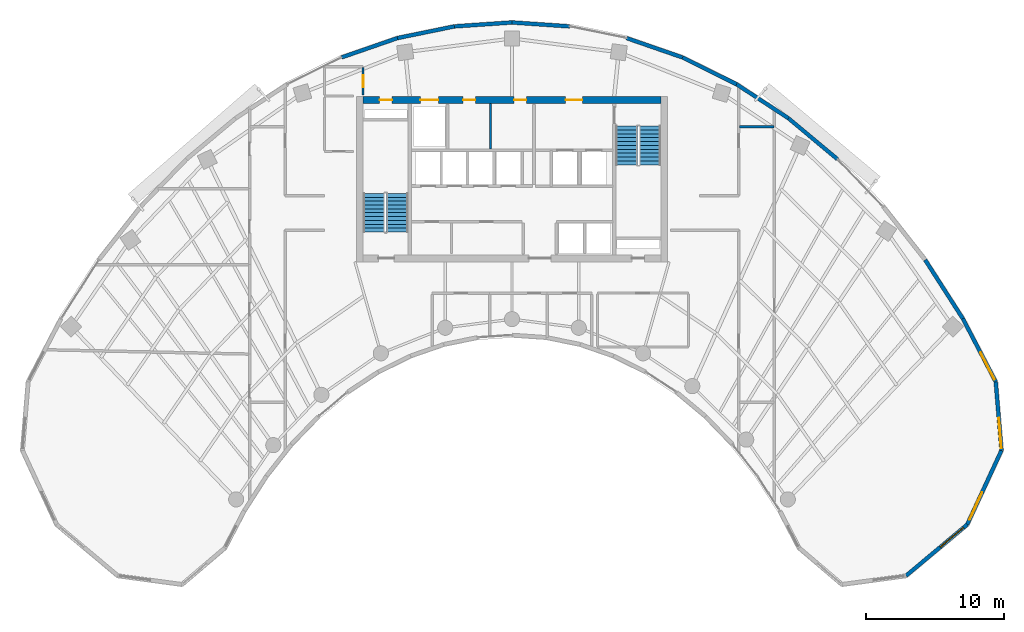
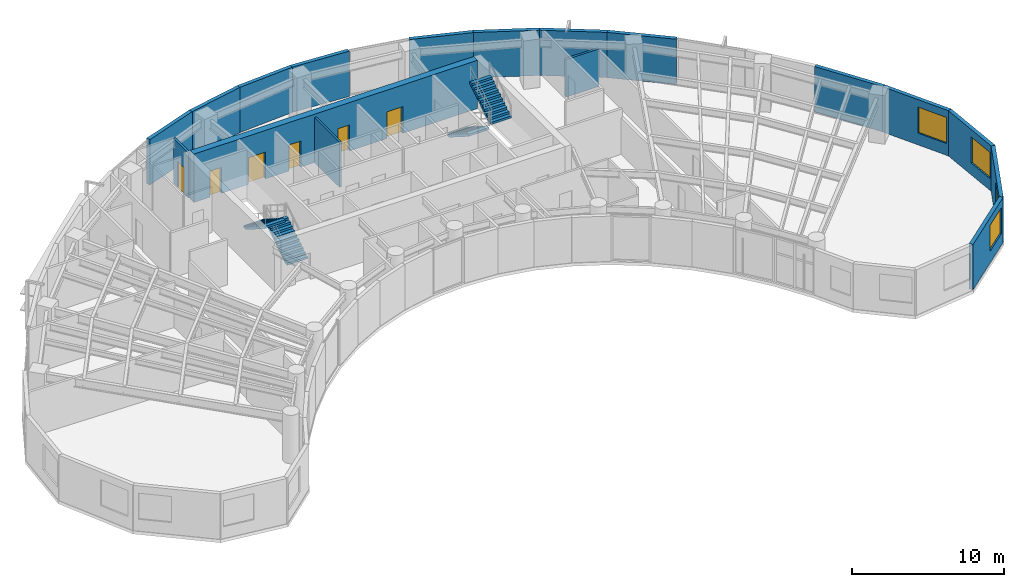
# One storey, part 10 of 13: 17 walls, 6 doors, 4 stair flights, 4 windows, 10 openings, 2 elements without a shape of their own.
"""IFC4 building model written with IfcOpenShell, lengths in metres."""

from ifc_helpers import new_model, si_unit, direction, frame, frame_2d, origin, place, context, subcontext, project, spatial, polyline, rectangle, outline, extrude, source, transform, mapped, material, layer, layer_set, type_object, type_shapes, element, fill, aggregate, save


model = new_model("IFC4")

# Units and contexts
model_context = context("Model", 3, precision=1e-05, world=origin(), true_north=direction((0.0, 1.0)))
body_context = subcontext(model_context, "Body", "Model", "MODEL_VIEW")
ifc_project = project(units=[si_unit("LENGTHUNIT", "METRE"), si_unit("AREAUNIT", "SQUARE_METRE"), si_unit("VOLUMEUNIT", "CUBIC_METRE"), si_unit("PLANEANGLEUNIT", "RADIAN"), si_unit("MASSUNIT", "GRAM", prefix="KILO")], contexts=[model_context])

# Site, building, storey
site_placement = place(None, origin())
site = spatial("IfcSite", under=ifc_project, at=site_placement, CompositionType="ELEMENT")
building_placement = place(site_placement, origin())
building = spatial("IfcBuilding", under=site, at=building_placement, Name="Breltana Convention Tower", CompositionType="ELEMENT")
storey_placement = place(building_placement, frame((0.0, 0.0, 170.10009765625)))
storey = spatial("IfcBuildingStorey", under=building, at=storey_placement, Name="L41", CompositionType="ELEMENT", Elevation=170.10009765625)

# Wall, openings, doors
ifc_material_1 = material(Name="Concrete C60/75", Category="concrete")
ifc_layer_1 = layer(ifc_material_1, 0.5, Name="Concrete C60/75")
ifc_layer_set_1 = layer_set([ifc_layer_1], Name="Concrete C60/75")
wall_type_1 = type_object("IfcWallType", Name="SW-CORE-500", PredefinedType="SHEAR", material=ifc_layer_set_1)
shared_shape_1 = source(origin(), body_context, "Body", "SweptSolid", [
    extrude(rectangle(XDim=21.60009765625, YDim=0.5, at=frame_2d((10.800048828125, 0.0))), origin(), (0.0, 0.0, 1.0), 3.89990234375),
])
wall_1_placement = place(storey_placement, frame((37.199951171875, 71.949951171875, 0.0), z_axis=(0.0, 0.0, 1.0), x_axis=(1.0, 0.0, 0.0)))
wall_1 = element("IfcWall", 1, at=wall_1_placement, inside=storey, type_object=wall_type_1, Name="L41 North Core Shear Wall", PredefinedType="SHEAR", context=body_context, shape_type="MappedRepresentation", body=[
    mapped(shared_shape_1, transform((0.0, 0.0, 0.0), scale=1.0)),
])
opening_1_placement = place(wall_1_placement, frame((1.199951171875, 0.0, 0.0)))
opening_1 = element("IfcOpeningElement", 2, at=opening_1_placement, cuts=wall_1, Name="Opening D-18", PredefinedType="OPENING", context=body_context, shape_type="SweptSolid", body=[
    extrude(rectangle(XDim=0.89990234375, YDim=2.10009765625, at=frame_2d((0.449951171875, 1.050048828125))), frame((0.0, 0.260009765625, 0.0), z_axis=(0.0, -1.0, 0.0), x_axis=(1.0, 0.0, 0.0)), (0.0, 0.0, 1.0), 0.52001953125),
])
opening_2_placement = place(wall_1_placement, frame((14.699951171875, 0.0, 0.0)))
opening_2 = element("IfcOpeningElement", 3, at=opening_2_placement, cuts=wall_1, Name="Opening D-09", PredefinedType="OPENING", context=body_context, shape_type="SweptSolid", body=[
    extrude(rectangle(XDim=1.199951171875, YDim=2.14990234375, at=frame_2d((0.60009765625, 1.074951171875))), frame((0.0, 0.260009765625, 0.0), z_axis=(0.0, -1.0, 0.0), x_axis=(1.0, 0.0, 0.0)), (0.0, 0.0, 1.0), 0.52001953125),
])
opening_3_placement = place(wall_1_placement, frame((4.14990234375, 0.0, 0.0)))
opening_3 = element("IfcOpeningElement", 4, at=opening_3_placement, cuts=wall_1, Name="Opening LD-01", PredefinedType="OPENING", context=body_context, shape_type="SweptSolid", body=[
    extrude(rectangle(XDim=1.300048828125, YDim=2.14990234375, at=frame_2d((0.64990234375, 1.074951171875))), frame((0.0, 0.260009765625, 0.0), z_axis=(0.0, -1.0, 0.0), x_axis=(1.0, 0.0, 0.0)), (0.0, 0.0, 1.0), 0.52001953125),
])
opening_4_placement = place(wall_1_placement, frame((7.25, 0.0, 0.0)))
opening_4 = element("IfcOpeningElement", 5, at=opening_4_placement, cuts=wall_1, Name="Opening D-18", PredefinedType="OPENING", context=body_context, shape_type="SweptSolid", body=[
    extrude(rectangle(XDim=0.89990234375, YDim=2.10009765625, at=frame_2d((0.449951171875, 1.050048828125))), frame((0.0, 0.260009765625, 0.0), z_axis=(0.0, -1.0, 0.0), x_axis=(1.0, 0.0, 0.0)), (0.0, 0.0, 1.0), 0.52001953125),
])
opening_5_placement = place(wall_1_placement, frame((10.949951171875, 0.0, 0.0)))
opening_5 = element("IfcOpeningElement", 6, at=opening_5_placement, cuts=wall_1, Name="Opening D-18", PredefinedType="OPENING", context=body_context, shape_type="SweptSolid", body=[
    extrude(rectangle(XDim=0.89990234375, YDim=2.10009765625, at=frame_2d((0.449951171875, 1.050048828125))), frame((0.0, 0.260009765625, 0.0), z_axis=(0.0, -1.0, 0.0), x_axis=(1.0, 0.0, 0.0)), (0.0, 0.0, 1.0), 0.52001953125),
])
ifc_material_2 = material(Name="Steel Riser Fire Door", Category="steel")
door_type_1 = type_object("IfcDoorType", Name="DR-FD60-900", OperationType="NOTDEFINED", PredefinedType="DOOR", material=ifc_material_2)
shared_shape_2 = source(origin(), body_context, "Body", "SweptSolid", [
    extrude(rectangle(XDim=0.89990234375, YDim=2.10009765625, at=frame_2d((0.449951171875, 1.050048828125))), frame((0.0, 0.02490234375, 0.0), z_axis=(0.0, -1.0, 0.0), x_axis=(1.0, 0.0, 0.0)), (0.0, 0.0, 1.0), 0.050048828125),
])
type_shapes(door_type_1, [shared_shape_2])
door_1_placement = place(opening_1_placement, origin())
door_1 = element("IfcDoor", 7, at=door_1_placement, inside=storey, type_object=door_type_1, Name="L41 Core Riser Access Door D-L41-RS1", OperationType="SINGLE_SWING_LEFT", OverallHeight=2.10009765625, OverallWidth=0.89990234375, PredefinedType="DOOR", context=body_context, shape_type="MappedRepresentation", body=[
    mapped(shared_shape_2, transform((0.0, 0.0, 0.0), scale=1.0)),
])
fill(opening_1, door_1)
door_2_placement = place(opening_4_placement, origin())
door_2 = element("IfcDoor", 8, at=door_2_placement, inside=storey, type_object=door_type_1, Name="L41 interior door D-L41-CRA1", OperationType="SINGLE_SWING_LEFT", OverallHeight=2.10009765625, OverallWidth=0.89990234375, PredefinedType="DOOR", context=body_context, shape_type="MappedRepresentation", body=[
    mapped(shared_shape_2, transform((0.0, 0.0, 0.0), scale=1.0)),
])
fill(opening_4, door_2)
door_3_placement = place(opening_5_placement, origin())
door_3 = element("IfcDoor", 9, at=door_3_placement, inside=storey, type_object=door_type_1, Name="L41 interior door D-L41-CRA2", OperationType="SINGLE_SWING_RIGHT", OverallHeight=2.10009765625, OverallWidth=0.89990234375, PredefinedType="DOOR", context=body_context, shape_type="MappedRepresentation", body=[
    mapped(shared_shape_2, transform((0.0, 0.0, 0.0), scale=1.0)),
])
fill(opening_5, door_3)
ifc_material_3 = material(Name="Steel Fire Lobby Door", Category="steel")
door_type_2 = type_object("IfcDoorType", Name="DR-FD120-1200", OperationType="NOTDEFINED", PredefinedType="DOOR", material=ifc_material_3)
shared_shape_3 = source(origin(), body_context, "Body", "SweptSolid", [
    extrude(rectangle(XDim=1.199951171875, YDim=2.14990234375, at=frame_2d((0.60009765625, 1.074951171875))), frame((0.0, 0.02490234375, 0.0), z_axis=(0.0, -1.0, 0.0), x_axis=(1.0, 0.0, 0.0)), (0.0, 0.0, 1.0), 0.050048828125),
])
type_shapes(door_type_2, [shared_shape_3])
door_4_placement = place(opening_2_placement, origin())
door_4 = element("IfcDoor", 10, at=door_4_placement, inside=storey, type_object=door_type_2, Name="L41 interior door D-L41-FFL-N", OperationType="SINGLE_SWING_RIGHT", OverallHeight=2.14990234375, OverallWidth=1.199951171875, PredefinedType="DOOR", context=body_context, shape_type="MappedRepresentation", body=[
    mapped(shared_shape_3, transform((0.0, 0.0, 0.0), scale=1.0)),
])
fill(opening_2, door_4)
ifc_material_4 = material(Name="Stainless Steel Brushed", Category="steel")
door_type_3 = type_object("IfcDoorType", Name="DR-LD-SRV-1300", OperationType="DOUBLE_DOOR_SLIDING", PredefinedType="DOOR", material=ifc_material_4)
shared_shape_4 = source(origin(), body_context, "Body", "SweptSolid", [
    extrude(rectangle(XDim=1.300048828125, YDim=2.14990234375, at=frame_2d((0.64990234375, 1.074951171875))), frame((0.0, 0.02490234375, 0.0), z_axis=(0.0, -1.0, 0.0), x_axis=(1.0, 0.0, 0.0)), (0.0, 0.0, 1.0), 0.050048828125),
])
type_shapes(door_type_3, [shared_shape_4])
door_5_placement = place(opening_3_placement, origin())
door_5 = element("IfcDoor", 11, at=door_5_placement, inside=storey, type_object=door_type_3, Name="L41 Lift Landing Door D-L41-LD-SV1", OperationType="DOUBLE_DOOR_SLIDING", OverallHeight=2.14990234375, OverallWidth=1.300048828125, PredefinedType="DOOR", context=body_context, shape_type="MappedRepresentation", body=[
    mapped(shared_shape_4, transform((0.0, 0.0, 0.0), scale=1.0)),
])
fill(opening_3, door_5)

# Wall, opening, window
ifc_material_5 = material(Name="Limestone Buff Insulated Wall", Category="masonry")
ifc_layer_2 = layer(ifc_material_5, 0.280029296875, Name="Limestone Buff Insulated Wall")
ifc_layer_set_2 = layer_set([ifc_layer_2], Name="Limestone Buff Insulated Wall")
wall_type_2 = type_object("IfcWallType", Name="WL-EXT-NOSE-280", PredefinedType="SOLIDWALL", material=ifc_layer_set_2)
shared_shape_5 = source(origin(), body_context, "Body", "SweptSolid", [
    extrude(rectangle(XDim=4.994384765625, YDim=0.280029296875, at=frame_2d((2.4970703125, 0.0))), origin(), (0.0, 0.0, 1.0), 3.64990234375),
])
wall_2_placement = place(storey_placement, frame((83.102294921875, 51.48876953125, 0.0), z_axis=(0.0, 0.0, 1.0), x_axis=(0.083344839916, -0.996520766296, 0.0)))
wall_2 = element("IfcWall", 12, at=wall_2_placement, inside=storey, type_object=wall_type_2, Name="L41 curved limestone nose wall E1", PredefinedType="SOLIDWALL", context=body_context, shape_type="MappedRepresentation", body=[
    mapped(shared_shape_5, transform((0.0, 0.0, 0.0), scale=1.0)),
])
opening_6_placement = place(wall_2_placement, frame((2.634521484375, 0.0, 0.949951171875)))
opening_6 = element("IfcOpeningElement", 13, at=opening_6_placement, cuts=wall_2, Name="Opening W-03", PredefinedType="OPENING", context=body_context, shape_type="SweptSolid", body=[
    extrude(rectangle(XDim=2.199951171875, YDim=2.10009765625, at=frame_2d((1.10009765625, 1.050048828125))), frame((0.0, 0.14990234375, 0.0), z_axis=(0.0, -1.0, 0.0), x_axis=(1.0, 0.0, 0.0)), (0.0, 0.0, 1.0), 0.300048828125),
])
ifc_material_6 = material(Name="Glass Low-E Insulated Window", Category="glass")
window_type = type_object("IfcWindowType", Name="WN-NOSE-2200X2100", PartitioningType="TRIPLE_PANEL_VERTICAL", PredefinedType="WINDOW", material=ifc_material_6)
shared_shape_6 = source(origin(), body_context, "Body", "SweptSolid", [
    extrude(rectangle(XDim=2.199951171875, YDim=2.10009765625, at=frame_2d((1.10009765625, 1.050048828125))), frame((0.0, 0.030029296875, 0.0), z_axis=(0.0, -1.0, 0.0), x_axis=(1.0, 0.0, 0.0)), (0.0, 0.0, 1.0), 0.06005859375),
])
type_shapes(window_type, [shared_shape_6])
window_1_placement = place(opening_6_placement, origin())
window_1 = element("IfcWindow", 14, at=window_1_placement, inside=storey, type_object=window_type, Name="L41 nose window E1", OverallHeight=2.10009765625, OverallWidth=2.199951171875, PartitioningType="TRIPLE_PANEL_VERTICAL", PredefinedType="WINDOW", context=body_context, shape_type="MappedRepresentation", body=[
    mapped(shared_shape_6, transform((0.0, 0.0, 0.0), scale=1.0)),
])
fill(opening_6, window_1)

shared_shape_7 = source(origin(), body_context, "Body", "SweptSolid", [
    extrude(rectangle(XDim=5.927490234375, YDim=0.280029296875, at=frame_2d((2.9638671875, 0.0))), origin(), (0.0, 0.0, 1.0), 3.64990234375),
])
wall_3_placement = place(storey_placement, frame((83.5185546875, 46.51171875, 0.0), z_axis=(0.0, 0.0, 1.0), x_axis=(-0.419656204795, -0.907683132914, 0.0)))
wall_3 = element("IfcWall", 15, at=wall_3_placement, inside=storey, type_object=wall_type_2, Name="L41 curved limestone nose wall E2", PredefinedType="SOLIDWALL", context=body_context, shape_type="MappedRepresentation", body=[
    mapped(shared_shape_7, transform((0.0, 0.0, 0.0), scale=1.0)),
])
opening_7_placement = place(wall_3_placement, frame((3.345703125, 0.0, 0.949951171875)))
opening_7 = element("IfcOpeningElement", 16, at=opening_7_placement, cuts=wall_3, Name="Opening W-03", PredefinedType="OPENING", context=body_context, shape_type="SweptSolid", body=[
    extrude(rectangle(XDim=2.199951171875, YDim=2.10009765625, at=frame_2d((1.10009765625, 1.050048828125))), frame((0.0, 0.14990234375, 0.0), z_axis=(0.0, -1.0, 0.0), x_axis=(1.0, 0.0, 0.0)), (0.0, 0.0, 1.0), 0.300048828125),
])
window_2_placement = place(opening_7_placement, origin())
window_2 = element("IfcWindow", 17, at=window_2_placement, inside=storey, type_object=window_type, Name="L41 nose window E2", OverallHeight=2.10009765625, OverallWidth=2.199951171875, PartitioningType="TRIPLE_PANEL_VERTICAL", PredefinedType="WINDOW", context=body_context, shape_type="MappedRepresentation", body=[
    mapped(shared_shape_6, transform((0.0, 0.0, 0.0), scale=1.0)),
])
fill(opening_7, window_2)

shared_shape_8 = source(origin(), body_context, "Body", "SweptSolid", [
    extrude(rectangle(XDim=5.786376953125, YDim=0.280029296875, at=frame_2d((2.89306640625, 0.0))), origin(), (0.0, 0.0, 1.0), 3.64990234375),
])
wall_4_placement = place(storey_placement, frame((81.031005859375, 41.13134765625, 0.0), z_axis=(0.0, 0.0, 1.0), x_axis=(-0.766711306852, -0.641992034176, 0.0)))
wall_4 = element("IfcWall", 18, at=wall_4_placement, inside=storey, type_object=wall_type_2, Name="L41 curved limestone nose wall E3", PredefinedType="SOLIDWALL", context=body_context, shape_type="MappedRepresentation", body=[
    mapped(shared_shape_8, transform((0.0, 0.0, 0.0), scale=1.0)),
])
opening_8_placement = place(wall_4_placement, frame((0.3466796875, 0.0, 0.949951171875)))
opening_8 = element("IfcOpeningElement", 19, at=opening_8_placement, cuts=wall_4, Name="Opening W-03", PredefinedType="OPENING", context=body_context, shape_type="SweptSolid", body=[
    extrude(rectangle(XDim=2.199951171875, YDim=2.10009765625, at=frame_2d((1.10009765625, 1.050048828125))), frame((0.0, 0.14990234375, 0.0), z_axis=(0.0, -1.0, 0.0), x_axis=(1.0, 0.0, 0.0)), (0.0, 0.0, 1.0), 0.300048828125),
])
window_3_placement = place(opening_8_placement, origin())
window_3 = element("IfcWindow", 20, at=window_3_placement, inside=storey, type_object=window_type, Name="L41 nose window E3", OverallHeight=2.10009765625, OverallWidth=2.199951171875, PartitioningType="TRIPLE_PANEL_VERTICAL", PredefinedType="WINDOW", context=body_context, shape_type="MappedRepresentation", body=[
    mapped(shared_shape_6, transform((0.0, 0.0, 0.0), scale=1.0)),
])
fill(opening_8, window_3)

shared_shape_9 = source(origin(), body_context, "Body", "SweptSolid", [
    extrude(rectangle(XDim=5.1708984375, YDim=0.280029296875, at=frame_2d((2.58544921875, 0.0))), origin(), (0.0, 0.0, 1.0), 3.64990234375),
])
wall_5_placement = place(storey_placement, frame((80.714599609375, 56.075439453125, 0.0), z_axis=(0.0, 0.0, 1.0), x_axis=(0.461752581363, -0.887008767491, 0.0)))
wall_5 = element("IfcWall", 21, at=wall_5_placement, inside=storey, type_object=wall_type_2, Name="L41 curved limestone nose wall E34", PredefinedType="SOLIDWALL", context=body_context, shape_type="MappedRepresentation", body=[
    mapped(shared_shape_9, transform((0.0, 0.0, 0.0), scale=1.0)),
])
opening_9_placement = place(wall_5_placement, frame((2.7783203125, 0.0, 0.949951171875)))
opening_9 = element("IfcOpeningElement", 22, at=opening_9_placement, cuts=wall_5, Name="Opening W-03", PredefinedType="OPENING", context=body_context, shape_type="SweptSolid", body=[
    extrude(rectangle(XDim=2.199951171875, YDim=2.10009765625, at=frame_2d((1.10009765625, 1.050048828125))), frame((0.0, 0.14990234375, 0.0), z_axis=(0.0, -1.0, 0.0), x_axis=(1.0, 0.0, 0.0)), (0.0, 0.0, 1.0), 0.300048828125),
])
window_4_placement = place(opening_9_placement, origin())
window_4 = element("IfcWindow", 23, at=window_4_placement, inside=storey, type_object=window_type, Name="L41 nose window E34", OverallHeight=2.10009765625, OverallWidth=2.199951171875, PartitioningType="TRIPLE_PANEL_VERTICAL", PredefinedType="WINDOW", context=body_context, shape_type="MappedRepresentation", body=[
    mapped(shared_shape_6, transform((0.0, 0.0, 0.0), scale=1.0)),
])
fill(opening_9, window_4)

# Walls
shared_shape_10 = source(origin(), body_context, "Body", "SweptSolid", [
    extrude(rectangle(XDim=4.633544921875, YDim=0.280029296875, at=frame_2d((2.31689453125, 0.0))), origin(), (0.0, 0.0, 1.0), 3.64990234375),
])
wall_6_placement = place(storey_placement, frame((68.060791015625, 70.610107421875, 0.0), z_axis=(0.0, 0.0, 1.0), x_axis=(0.767910229096, -0.640557475993, 0.0)))
element("IfcWall", 24, at=wall_6_placement, inside=storey, type_object=wall_type_2, Name="L41 curved limestone nose wall E31", PredefinedType="SOLIDWALL", context=body_context, shape_type="MappedRepresentation", body=[
    mapped(shared_shape_10, transform((0.0, 0.0, 0.0), scale=1.0)),
])
shared_shape_11 = source(origin(), body_context, "Body", "SweptSolid", [
    extrude(rectangle(XDim=4.500732421875, YDim=0.280029296875, at=frame_2d((2.25048828125, 0.0))), origin(), (0.0, 0.0, 1.0), 3.64990234375),
])
wall_7_placement = place(storey_placement, frame((64.29833984375, 73.079833984375, 0.0), z_axis=(0.0, 0.0, 1.0), x_axis=(0.835984920737, -0.548752414391, 0.0)))
element("IfcWall", 25, at=wall_7_placement, inside=storey, type_object=wall_type_2, Name="L41 curved limestone nose wall E30", PredefinedType="SOLIDWALL", context=body_context, shape_type="MappedRepresentation", body=[
    mapped(shared_shape_11, transform((0.0, 0.0, 0.0), scale=1.0)),
])
shared_shape_12 = source(origin(), body_context, "Body", "SweptSolid", [
    extrude(rectangle(XDim=4.289794921875, YDim=0.280029296875, at=frame_2d((2.14501953125, 0.0))), origin(), (0.0, 0.0, 1.0), 3.64990234375),
])
for number, where, z_axis, x_axis, name in (
    (26, (35.629638671875, 75.02685546875, 0.0), (0.0, 0.0, 1.0), (0.944883859218, 0.3274057003, 0.0), "L41 curved limestone nose wall E24"),
    (27, (56.31689453125, 76.431396484375, 0.0), (0.0, 0.0, 1.0), (0.944883859218, -0.3274057003, 0.0), "L41 curved limestone nose wall E28"),
):
    element("IfcWall", number, at=place(storey_placement, frame(where, z_axis=z_axis, x_axis=x_axis)), inside=storey, type_object=wall_type_2, Name=name, PredefinedType="SOLIDWALL", context=body_context, shape_type="MappedRepresentation", body=[
        mapped(shared_shape_12, transform((0.0, 0.0, 0.0), scale=1.0)),
    ])
shared_shape_13 = source(origin(), body_context, "Body", "SweptSolid", [
    extrude(rectangle(XDim=4.223388671875, YDim=0.280029296875, at=frame_2d((2.11181640625, 0.0))), origin(), (0.0, 0.0, 1.0), 3.64990234375),
])
wall_8_placement = place(storey_placement, frame((39.68310546875, 76.431396484375, 0.0), z_axis=(0.0, 0.0, 1.0), x_axis=(0.979615245085, 0.200882979858, 0.0)))
element("IfcWall", 28, at=wall_8_placement, inside=storey, type_object=wall_type_2, Name="L41 curved limestone nose wall E25", PredefinedType="SOLIDWALL", context=body_context, shape_type="MappedRepresentation", body=[
    mapped(shared_shape_13, transform((0.0, 0.0, 0.0), scale=1.0)),
])
shared_shape_14 = source(origin(), body_context, "Body", "SweptSolid", [
    extrude(rectangle(XDim=4.189208984375, YDim=0.280029296875, at=frame_2d((2.0947265625, 0.0))), origin(), (0.0, 0.0, 1.0), 3.64990234375),
])
for number, where, z_axis, x_axis, name in (
    (29, (43.8203125, 77.27978515625, 0.0), (0.0, 0.0, 1.0), (0.997700560699, 0.067776036921, 0.0), "L41 curved limestone nose wall E26"),
    (30, (48.0, 77.563720703125, 0.0), (0.0, 0.0, 1.0), (0.997700560699, -0.067776036921, 0.0), "L41 curved limestone nose wall E27"),
):
    element("IfcWall", number, at=place(storey_placement, frame(where, z_axis=z_axis, x_axis=x_axis)), inside=storey, type_object=wall_type_2, Name=name, PredefinedType="SOLIDWALL", context=body_context, shape_type="MappedRepresentation", body=[
        mapped(shared_shape_14, transform((0.0, 0.0, 0.0), scale=1.0)),
    ])
shared_shape_15 = source(origin(), body_context, "Body", "SweptSolid", [
    extrude(rectangle(XDim=4.384033203125, YDim=0.280029296875, at=frame_2d((2.19189453125, 0.0))), origin(), (0.0, 0.0, 1.0), 3.64990234375),
])
wall_9_placement = place(storey_placement, frame((60.370361328125, 75.02685546875, 0.0), z_axis=(0.0, 0.0, 1.0), x_axis=(0.895969968053, -0.444114643248, 0.0)))
element("IfcWall", 31, at=wall_9_placement, inside=storey, type_object=wall_type_2, Name="L41 curved limestone nose wall E29", PredefinedType="SOLIDWALL", context=body_context, shape_type="MappedRepresentation", body=[
    mapped(shared_shape_15, transform((0.0, 0.0, 0.0), scale=1.0)),
])
shared_shape_16 = source(origin(), body_context, "Body", "SweptSolid", [
    extrude(rectangle(XDim=5.064697265625, YDim=0.280029296875, at=frame_2d((2.5322265625, 0.0))), origin(), (0.0, 0.0, 1.0), 3.64990234375),
])
wall_10_placement = place(storey_placement, frame((77.978759765625, 60.337646484375, 0.0), z_axis=(0.0, 0.0, 1.0), x_axis=(0.540177618806, -0.841551032404, 0.0)))
element("IfcWall", 32, at=wall_10_placement, inside=storey, type_object=wall_type_2, Name="L41 curved limestone nose wall E33", PredefinedType="SOLIDWALL", context=body_context, shape_type="MappedRepresentation", body=[
    mapped(shared_shape_16, transform((0.0, 0.0, 0.0), scale=1.0)),
])
ifc_material_7 = material(Name="Gypsum Acoustic Drywall Partition")
ifc_layer_3 = layer(ifc_material_7, 0.14990234375, Name="Gypsum Acoustic Drywall Partition")
ifc_layer_set_3 = layer_set([ifc_layer_3], Name="Gypsum Acoustic Drywall Partition")
wall_type_3 = type_object("IfcWallType", Name="WL-PART-150", PredefinedType="PARTITIONING", material=ifc_layer_set_3)
shared_shape_17 = source(origin(), body_context, "Body", "SweptSolid", [
    extrude(rectangle(XDim=3.280029296875, YDim=0.14990234375, at=frame_2d((1.64013671875, 0.0))), origin(), (0.0, 0.0, 1.0), 3.64990234375),
])
wall_11_placement = place(storey_placement, frame((46.449951171875, 68.39990234375, 0.0), z_axis=(0.0, 0.0, 1.0), x_axis=(0.0, 1.0, 0.0)))
element("IfcWall", 33, at=wall_11_placement, inside=storey, type_object=wall_type_3, Name="L41 interior partition W-L41-KV-1", PredefinedType="PARTITIONING", context=body_context, shape_type="MappedRepresentation", body=[
    mapped(shared_shape_17, transform((0.0, 0.0, 0.0), scale=1.0)),
])

# Wall, opening, door
shared_shape_18 = source(origin(), body_context, "Body", "SweptSolid", [
    extrude(rectangle(XDim=1.982421875, YDim=0.14990234375, at=frame_2d((0.9912109375, 0.0))), origin(), (0.0, 0.0, 1.0), 3.64990234375),
])
wall_12_placement = place(storey_placement, frame((37.199951171875, 72.300048828125, 0.0), z_axis=(0.0, 0.0, 1.0), x_axis=(0.0, 1.0, 0.0)))
wall_12 = element("IfcWall", 34, at=wall_12_placement, inside=storey, type_object=wall_type_3, Name="L41 interior partition W-L41-CRNW-E", PredefinedType="PARTITIONING", context=body_context, shape_type="MappedRepresentation", body=[
    mapped(shared_shape_18, transform((0.0, 0.0, 0.0), scale=1.0)),
])
opening_10_placement = place(wall_12_placement, frame((0.56640625, 0.0, 0.0)))
opening_10 = element("IfcOpeningElement", 35, at=opening_10_placement, cuts=wall_12, Name="Opening D-20", PredefinedType="OPENING", context=body_context, shape_type="SweptSolid", body=[
    extrude(rectangle(XDim=0.85009765625, YDim=2.10009765625, at=frame_2d((0.425048828125, 1.050048828125))), frame((0.0, 0.0849609375, 0.0), z_axis=(0.0, -1.0, 0.0), x_axis=(1.0, 0.0, 0.0)), (0.0, 0.0, 1.0), 0.169921875),
])
ifc_material_8 = material(Name="Steel Closet Fire Door", Category="steel")
door_type_4 = type_object("IfcDoorType", Name="DR-FD60-850", OperationType="NOTDEFINED", PredefinedType="DOOR", material=ifc_material_8)
shared_shape_19 = source(origin(), body_context, "Body", "SweptSolid", [
    extrude(rectangle(XDim=0.85009765625, YDim=2.10009765625, at=frame_2d((0.425048828125, 1.050048828125))), frame((0.0, 0.02490234375, 0.0), z_axis=(0.0, -1.0, 0.0), x_axis=(1.0, 0.0, 0.0)), (0.0, 0.0, 1.0), 0.050048828125),
])
type_shapes(door_type_4, [shared_shape_19])
door_6_placement = place(opening_10_placement, origin())
door_6 = element("IfcDoor", 36, at=door_6_placement, inside=storey, type_object=door_type_4, Name="L41 interior door D-L41-CRNW", OperationType="SINGLE_SWING_LEFT", OverallHeight=2.10009765625, OverallWidth=0.85009765625, PredefinedType="DOOR", context=body_context, shape_type="MappedRepresentation", body=[
    mapped(shared_shape_19, transform((0.0, 0.0, 0.0), scale=1.0)),
])
fill(opening_10, door_6)

# Wall
ifc_material_9 = material(Name="Moisture-Resistant Gypsum Chase Wall")
ifc_layer_4 = layer(ifc_material_9, 0.179931640625, Name="Moisture-Resistant Gypsum Chase Wall")
ifc_layer_set_4 = layer_set([ifc_layer_4], Name="Moisture-Resistant Gypsum Chase Wall")
wall_type_4 = type_object("IfcWallType", Name="WL-PLUMB-180", PredefinedType="PLUMBINGWALL", material=ifc_layer_set_4)
shared_shape_20 = source(origin(), body_context, "Body", "SweptSolid", [
    extrude(rectangle(XDim=2.5, YDim=0.179931640625, at=frame_2d((1.25, 0.0))), origin(), (0.0, 0.0, 1.0), 3.02197265625),
])
wall_13_placement = place(storey_placement, frame((64.5, 70.0, 0.0), z_axis=(0.0, 0.0, 1.0), x_axis=(1.0, 0.0, 0.0)))
element("IfcWall", 37, at=wall_13_placement, inside=storey, type_object=wall_type_4, Name="L41 interior partition W-L41-CORNE-N", PredefinedType="PLUMBINGWALL", context=body_context, shape_type="MappedRepresentation", body=[
    mapped(shared_shape_20, transform((0.0, 0.0, 0.0), scale=1.0)),
])

# Stair, stair flights
ifc_material_10 = material(Name="Concrete C40/50", Category="concrete")
stair_type = type_object("IfcStairType", Name="ST-DOG-1560-R177", PredefinedType="HALF_TURN_STAIR", material=ifc_material_10)
stair_1_placement = place(storey_placement, origin())
stair_1 = element("IfcStair", 38, at=stair_1_placement, inside=storey, type_object=stair_type, Name="L41 Protected Core Exit Stair ST-1", PredefinedType="HALF_TURN_STAIR")
stair_flight_type = type_object("IfcStairFlightType", Name="STF-DOG-1560-N11-R177", PredefinedType="STRAIGHT", material=ifc_material_10)
stair_flight_1_placement = place(storey_placement, frame((39.68994140625, 62.360107421875, 0.0), z_axis=(0.0, 0.0, 1.0), x_axis=(0.0, 1.0, 0.0)))
stair_flight_1 = element("IfcStairFlight", 39, at=stair_flight_1_placement, type_object=stair_flight_type, Name="ST-1 flight 1", NumberOfRisers=11, NumberOfTreads=10, PredefinedType="STRAIGHT", RiserHeight=0.177272727, TreadLength=0.28, context=body_context, shape_type="SweptSolid", body=[
    extrude(outline(polyline([(0.0, 0.0), (0.0, 0.17724609375), (0.280029296875, 0.17724609375), (0.280029296875, 0.3544921875), (0.56005859375, 0.3544921875), (0.56005859375, 0.53173828125), (0.840087890625, 0.53173828125), (0.840087890625, 0.708984375), (1.1201171875, 0.708984375), (1.1201171875, 0.886474609375), (1.39990234375, 0.886474609375), (1.39990234375, 1.063720703125), (1.679931640625, 1.063720703125), (1.679931640625, 1.240966796875), (1.9599609375, 1.240966796875), (1.9599609375, 1.418212890625), (2.239990234375, 1.418212890625), (2.239990234375, 1.595458984375), (2.52001953125, 1.595458984375), (2.52001953125, 1.772705078125), (2.800048828125, 1.772705078125), (2.800048828125, 1.949951171875), (2.800048828125, 1.59521484375), (0.2802734375, 0.0), (0.0, 0.0)])), frame((0.0, 0.780029296875, 0.0), z_axis=(0.0, -1.0, 0.0), x_axis=(1.0, 0.0, 0.0)), (0.0, 0.0, 1.0), 1.56005859375),
])
stair_flight_2_placement = place(storey_placement, frame((37.97998046875, 65.159912109375, 1.949951171875), z_axis=(0.0, 0.0, 1.0), x_axis=(0.0, -1.0, 0.0)))
stair_flight_2 = element("IfcStairFlight", 40, at=stair_flight_2_placement, type_object=stair_flight_type, Name="ST-1 flight 2", NumberOfRisers=11, NumberOfTreads=10, PredefinedType="STRAIGHT", RiserHeight=0.177272727, TreadLength=0.28, context=body_context, shape_type="SweptSolid", body=[
    extrude(outline(polyline([(0.0, 0.0), (0.0, 0.17724609375), (0.280029296875, 0.17724609375), (0.280029296875, 0.3544921875), (0.56005859375, 0.3544921875), (0.56005859375, 0.53173828125), (0.840087890625, 0.53173828125), (0.840087890625, 0.708984375), (1.1201171875, 0.708984375), (1.1201171875, 0.886474609375), (1.39990234375, 0.886474609375), (1.39990234375, 1.063720703125), (1.679931640625, 1.063720703125), (1.679931640625, 1.240966796875), (1.9599609375, 1.240966796875), (1.9599609375, 1.418212890625), (2.239990234375, 1.418212890625), (2.239990234375, 1.595458984375), (2.52001953125, 1.595458984375), (2.52001953125, 1.772705078125), (2.800048828125, 1.772705078125), (2.800048828125, 1.949951171875), (2.800048828125, 1.59521484375), (0.2802734375, 0.0), (0.0, 0.0)])), frame((0.0, 0.780029296875, 0.0), z_axis=(0.0, -1.0, 0.0), x_axis=(1.0, 0.0, 0.0)), (0.0, 0.0, 1.0), 1.56005859375),
])
aggregate(stair_1, [stair_flight_1, stair_flight_2])

stair_2_placement = place(storey_placement, origin())
stair_2 = element("IfcStair", 41, at=stair_2_placement, inside=storey, type_object=stair_type, Name="L41 Protected Core Exit Stair ST-2", PredefinedType="HALF_TURN_STAIR")
stair_flight_3_placement = place(storey_placement, frame((56.31005859375, 70.0400390625, 0.0), z_axis=(0.0, 0.0, 1.0), x_axis=(0.0, -1.0, 0.0)))
stair_flight_3 = element("IfcStairFlight", 42, at=stair_flight_3_placement, type_object=stair_flight_type, Name="ST-2 flight 1", NumberOfRisers=11, NumberOfTreads=10, PredefinedType="STRAIGHT", RiserHeight=0.177272727, TreadLength=0.28, context=body_context, shape_type="SweptSolid", body=[
    extrude(outline(polyline([(0.0, 0.0), (0.0, 0.17724609375), (0.280029296875, 0.17724609375), (0.280029296875, 0.3544921875), (0.56005859375, 0.3544921875), (0.56005859375, 0.53173828125), (0.840087890625, 0.53173828125), (0.840087890625, 0.708984375), (1.1201171875, 0.708984375), (1.1201171875, 0.886474609375), (1.39990234375, 0.886474609375), (1.39990234375, 1.063720703125), (1.679931640625, 1.063720703125), (1.679931640625, 1.240966796875), (1.9599609375, 1.240966796875), (1.9599609375, 1.418212890625), (2.239990234375, 1.418212890625), (2.239990234375, 1.595458984375), (2.52001953125, 1.595458984375), (2.52001953125, 1.772705078125), (2.800048828125, 1.772705078125), (2.800048828125, 1.949951171875), (2.800048828125, 1.59521484375), (0.2802734375, 0.0), (0.0, 0.0)])), frame((0.0, 0.780029296875, 0.0), z_axis=(0.0, -1.0, 0.0), x_axis=(1.0, 0.0, 0.0)), (0.0, 0.0, 1.0), 1.56005859375),
])
stair_flight_4_placement = place(storey_placement, frame((58.02001953125, 67.239990234375, 1.949951171875), z_axis=(0.0, 0.0, 1.0), x_axis=(0.0, 1.0, 0.0)))
stair_flight_4 = element("IfcStairFlight", 43, at=stair_flight_4_placement, type_object=stair_flight_type, Name="ST-2 flight 2", NumberOfRisers=11, NumberOfTreads=10, PredefinedType="STRAIGHT", RiserHeight=0.177272727, TreadLength=0.28, context=body_context, shape_type="SweptSolid", body=[
    extrude(outline(polyline([(0.0, 0.0), (0.0, 0.17724609375), (0.280029296875, 0.17724609375), (0.280029296875, 0.3544921875), (0.56005859375, 0.3544921875), (0.56005859375, 0.53173828125), (0.840087890625, 0.53173828125), (0.840087890625, 0.708984375), (1.1201171875, 0.708984375), (1.1201171875, 0.886474609375), (1.39990234375, 0.886474609375), (1.39990234375, 1.063720703125), (1.679931640625, 1.063720703125), (1.679931640625, 1.240966796875), (1.9599609375, 1.240966796875), (1.9599609375, 1.418212890625), (2.239990234375, 1.418212890625), (2.239990234375, 1.595458984375), (2.52001953125, 1.595458984375), (2.52001953125, 1.772705078125), (2.800048828125, 1.772705078125), (2.800048828125, 1.949951171875), (2.800048828125, 1.59521484375), (0.2802734375, 0.0), (0.0, 0.0)])), frame((0.0, 0.780029296875, 0.0), z_axis=(0.0, -1.0, 0.0), x_axis=(1.0, 0.0, 0.0)), (0.0, 0.0, 1.0), 1.56005859375),
])
aggregate(stair_2, [stair_flight_3, stair_flight_4])

save(model, "model.ifc")
